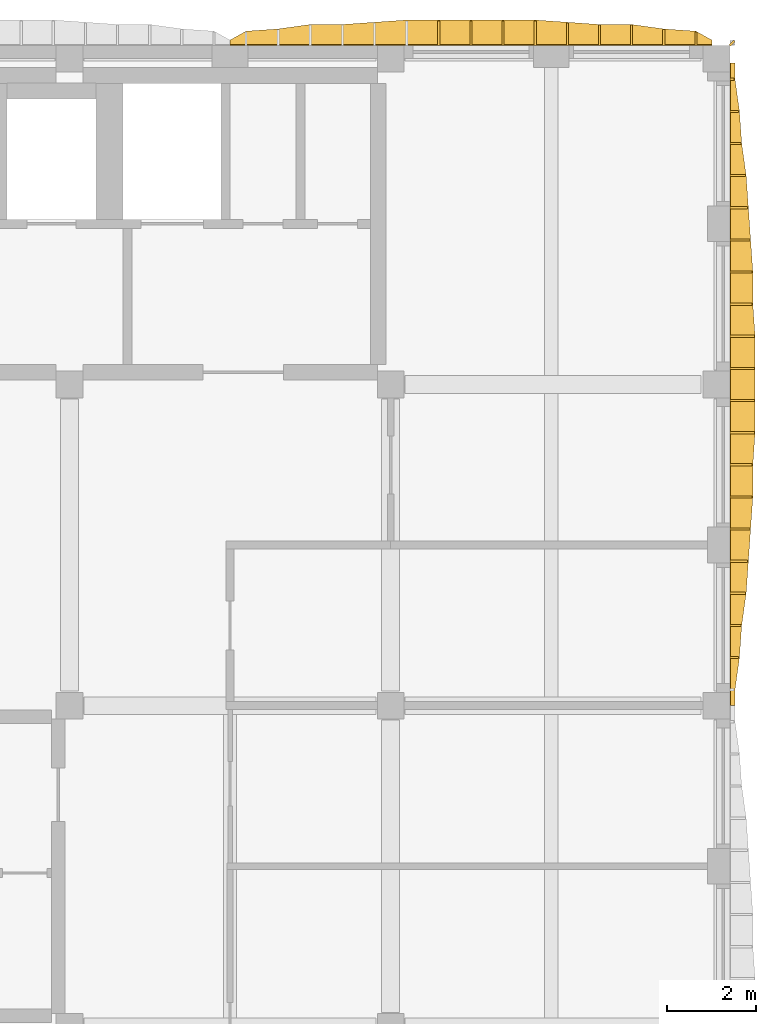
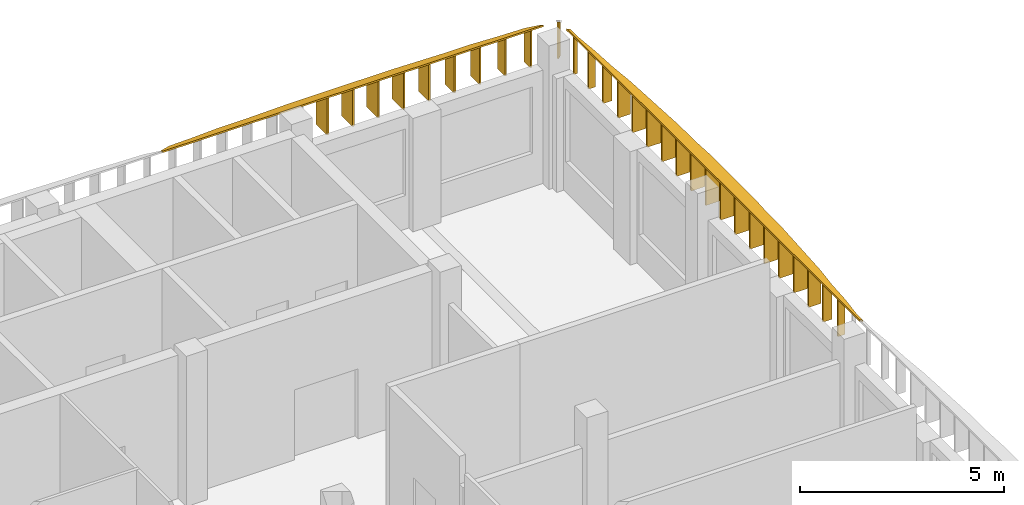
# One storey, part 8 of 10: 31 shading devices.
"""IFC4 building model written with IfcOpenShell, lengths in metres."""

from ifc_helpers import new_model, si_unit, direction, frame, origin, place, context, subcontext, project, spatial, polyline, outline, extrude, material, layer, layer_set, type_object, element, save


model = new_model("IFC4")

# Units and contexts
model_context = context("Model", 3, precision=1e-05, world=origin(), true_north=direction((0.0, 1.0)))
body_context = subcontext(model_context, "Body", "Model", "MODEL_VIEW")
ifc_project = project(units=[si_unit("LENGTHUNIT", "METRE"), si_unit("AREAUNIT", "SQUARE_METRE"), si_unit("VOLUMEUNIT", "CUBIC_METRE"), si_unit("PLANEANGLEUNIT", "RADIAN"), si_unit("MASSUNIT", "GRAM", prefix="KILO")], contexts=[model_context])

# Site, building, storey
site_placement = place(None, origin())
site = spatial("IfcSite", under=ifc_project, at=site_placement, CompositionType="ELEMENT")
building_placement = place(site_placement, origin())
building = spatial("IfcBuilding", under=site, at=building_placement, Name="Ussher Court Research Institute", CompositionType="ELEMENT")
storey_placement = place(building_placement, frame((0.0, 0.0, 36.89990234375)))
storey = spatial("IfcBuildingStorey", under=building, at=storey_placement, Name="L08", CompositionType="ELEMENT", Elevation=36.89990234375)

# Shading devices
ifc_material_1 = material(Name="Bronze anodised aluminium", Category="aluminium")
ifc_layer_1 = layer(ifc_material_1, 0.050048828125)
ifc_layer_set_1 = layer_set([ifc_layer_1], Name="Bronze anodised aluminium")
shading_device_type_1 = type_object("IfcShadingDeviceType", Name="Brim blade 100 mm deep 1100 mm high canted 26 deg wet", PredefinedType="USERDEFINED", material=ifc_layer_set_1)
shading_device_1_placement = place(storey_placement, frame((104.199951171875, 32.43994140625, 3.35009765625), z_axis=(0.0, 0.0, 1.0), x_axis=(1.0, 0.0, 0.0)))
element("IfcShadingDevice", 1, at=shading_device_1_placement, inside=storey, type_object=shading_device_type_1, Name="Brim blade BS10 L08", ObjectType="BLADE", PredefinedType="USERDEFINED", context=body_context, shape_type="SweptSolid", body=[
    extrude(outline(polyline([(0.0, 0.0), (0.10009765625, 0.0), (0.10009765625, 1.05126953125), (0.0, 1.10009765625), (0.0, 0.0)])), frame((0.0, 0.02490234375, 0.0), z_axis=(0.0, -1.0, 0.0), x_axis=(1.0, 0.0, 0.0)), (0.0, 0.0, 1.0), 0.050048828125),
])
ifc_material_2 = material(Name="Bronze anodised aluminium", Category="aluminium")
ifc_layer_2 = layer(ifc_material_2, 0.050048828125)
ifc_layer_set_2 = layer_set([ifc_layer_2], Name="Bronze anodised aluminium")
shading_device_type_2 = type_object("IfcShadingDeviceType", Name="Brim blade 200 mm deep 1100 mm high canted 26 deg wet", PredefinedType="USERDEFINED", material=ifc_layer_set_2)
for number, where, z_axis, x_axis, name in (
    (2, (104.199951171875, 31.719970703125, 3.35009765625), (0.0, 0.0, 1.0), (1.0, 0.0, 0.0), "Brim blade BS08 L08"),
    (3, (104.199951171875, 19.47998046875, 3.35009765625), (0.0, 0.0, 1.0), (1.0, 0.0, 0.0), "Brim blade BS08 L08"),
):
    element("IfcShadingDevice", number, at=place(storey_placement, frame(where, z_axis=z_axis, x_axis=x_axis)), inside=storey, type_object=shading_device_type_2, Name=name, ObjectType="BLADE", PredefinedType="USERDEFINED", context=body_context, shape_type="SweptSolid", body=[
        extrude(outline(polyline([(0.0, 0.0), (0.199951171875, 0.0), (0.199951171875, 1.00244140625), (0.0, 1.10009765625), (0.0, 0.0)])), frame((0.0, 0.02490234375, 0.0), z_axis=(0.0, -1.0, 0.0), x_axis=(1.0, 0.0, 0.0)), (0.0, 0.0, 1.0), 0.050048828125),
    ])
ifc_material_3 = material(Name="Bronze anodised aluminium", Category="aluminium")
ifc_layer_3 = layer(ifc_material_3, 0.050048828125)
ifc_layer_set_3 = layer_set([ifc_layer_3], Name="Bronze anodised aluminium")
shading_device_type_3 = type_object("IfcShadingDeviceType", Name="Brim blade 250 mm deep 1100 mm high canted 26 deg wet", PredefinedType="USERDEFINED", material=ifc_layer_set_3)
for number, where, z_axis, x_axis, name in (
    (4, (104.199951171875, 31.0, 3.35009765625), (0.0, 0.0, 1.0), (1.0, 0.0, 0.0), "Brim blade BS07 L08"),
    (5, (104.199951171875, 20.199951171875, 3.35009765625), (0.0, 0.0, 1.0), (1.0, 0.0, 0.0), "Brim blade BS07 L08"),
):
    element("IfcShadingDevice", number, at=place(storey_placement, frame(where, z_axis=z_axis, x_axis=x_axis)), inside=storey, type_object=shading_device_type_3, Name=name, ObjectType="BLADE", PredefinedType="USERDEFINED", context=body_context, shape_type="SweptSolid", body=[
        extrude(outline(polyline([(0.0, 0.0), (0.25, 0.0), (0.25, 0.97802734375), (0.0, 1.10009765625), (0.0, 0.0)])), frame((0.0, 0.02490234375, 0.0), z_axis=(0.0, -1.0, 0.0), x_axis=(1.0, 0.0, 0.0)), (0.0, 0.0, 1.0), 0.050048828125),
    ])
ifc_material_4 = material(Name="Bronze anodised aluminium", Category="aluminium")
ifc_layer_4 = layer(ifc_material_4, 0.050048828125)
ifc_layer_set_4 = layer_set([ifc_layer_4], Name="Bronze anodised aluminium")
shading_device_type_4 = type_object("IfcShadingDeviceType", Name="Brim blade 300 mm deep 1100 mm high canted 26 deg wet", PredefinedType="USERDEFINED", material=ifc_layer_set_4)
shading_device_2_placement = place(storey_placement, frame((103.43994140625, 33.199951171875, 3.35009765625), z_axis=(0.0, 0.0, 1.0), x_axis=(0.0, 1.0, 0.0)))
element("IfcShadingDevice", 6, at=shading_device_2_placement, inside=storey, type_object=shading_device_type_4, Name="Brim blade BS06 L08", ObjectType="BLADE", PredefinedType="USERDEFINED", context=body_context, shape_type="SweptSolid", body=[
    extrude(outline(polyline([(0.0, 0.0), (0.300048828125, 0.0), (0.300048828125, 0.95361328125), (0.0, 1.10009765625), (0.0, 0.0)])), frame((0.0, 0.02490234375, 0.0), z_axis=(0.0, -1.0, 0.0), x_axis=(1.0, 0.0, 0.0)), (0.0, 0.0, 1.0), 0.050048828125),
])
ifc_material_5 = material(Name="Bronze anodised aluminium", Category="aluminium")
ifc_layer_5 = layer(ifc_material_5, 0.050048828125)
ifc_layer_set_5 = layer_set([ifc_layer_5], Name="Bronze anodised aluminium")
shading_device_type_5 = type_object("IfcShadingDeviceType", Name="Brim blade 350 mm deep 1100 mm high canted 26 deg wet", PredefinedType="USERDEFINED", material=ifc_layer_set_5)
for number, where, z_axis, x_axis, name in (
    (7, (104.199951171875, 30.280029296875, 3.35009765625), (0.0, 0.0, 1.0), (1.0, 0.0, 0.0), "Brim blade BS05 L08"),
    (8, (104.199951171875, 20.919921875, 3.35009765625), (0.0, 0.0, 1.0), (1.0, 0.0, 0.0), "Brim blade BS05 L08"),
    (9, (102.719970703125, 33.199951171875, 3.35009765625), (0.0, 0.0, 1.0), (0.0, 1.0, 0.0), "Brim blade BS05 L08"),
):
    element("IfcShadingDevice", number, at=place(storey_placement, frame(where, z_axis=z_axis, x_axis=x_axis)), inside=storey, type_object=shading_device_type_5, Name=name, ObjectType="BLADE", PredefinedType="USERDEFINED", context=body_context, shape_type="SweptSolid", body=[
        extrude(outline(polyline([(0.0, 0.0), (0.35009765625, 0.0), (0.35009765625, 0.92919921875), (0.0, 1.10009765625), (0.0, 0.0)])), frame((0.0, 0.02490234375, 0.0), z_axis=(0.0, -1.0, 0.0), x_axis=(1.0, 0.0, 0.0)), (0.0, 0.0, 1.0), 0.050048828125),
    ])
ifc_material_6 = material(Name="Bronze anodised aluminium", Category="aluminium")
ifc_layer_6 = layer(ifc_material_6, 0.050048828125)
ifc_layer_set_6 = layer_set([ifc_layer_6], Name="Bronze anodised aluminium")
shading_device_type_6 = type_object("IfcShadingDeviceType", Name="Brim blade 400 mm deep 1100 mm high canted 26 deg wet", PredefinedType="USERDEFINED", material=ifc_layer_set_6)
for number, where, z_axis, x_axis, name in (
    (10, (104.199951171875, 29.56005859375, 3.35009765625), (0.0, 0.0, 1.0), (1.0, 0.0, 0.0), "Brim blade BS04 L08"),
    (11, (104.199951171875, 21.639892578125, 3.35009765625), (0.0, 0.0, 1.0), (1.0, 0.0, 0.0), "Brim blade BS04 L08"),
):
    element("IfcShadingDevice", number, at=place(storey_placement, frame(where, z_axis=z_axis, x_axis=x_axis)), inside=storey, type_object=shading_device_type_6, Name=name, ObjectType="BLADE", PredefinedType="USERDEFINED", context=body_context, shape_type="SweptSolid", body=[
        extrude(outline(polyline([(0.0, 0.0), (0.400146484375, 0.0), (0.39990234375, 0.90478515625), (0.0, 1.10009765625), (0.0, 0.0)])), frame((0.0, 0.02490234375, 0.0), z_axis=(0.0, -1.0, 0.0), x_axis=(1.0, 0.0, 0.0)), (0.0, 0.0, 1.0), 0.050048828125),
    ])
ifc_material_7 = material(Name="Bronze anodised aluminium", Category="aluminium")
ifc_layer_7 = layer(ifc_material_7, 0.050048828125)
ifc_layer_set_7 = layer_set([ifc_layer_7], Name="Bronze anodised aluminium")
shading_device_type_7 = type_object("IfcShadingDeviceType", Name="Brim blade 450 mm deep 1100 mm high canted 26 deg wet", PredefinedType="USERDEFINED", material=ifc_layer_set_7)
for number, where, z_axis, x_axis, name in (
    (12, (104.199951171875, 28.840087890625, 3.35009765625), (0.0, 0.0, 1.0), (1.0, 0.0, 0.0), "Brim blade BS03 L08"),
    (13, (104.199951171875, 22.360107421875, 3.35009765625), (0.0, 0.0, 1.0), (1.0, 0.0, 0.0), "Brim blade BS03 L08"),
    (14, (101.280029296875, 33.199951171875, 3.35009765625), (0.0, 0.0, 1.0), (0.0, 1.0, 0.0), "Brim blade BS03 L08"),
    (15, (102.0, 33.199951171875, 3.35009765625), (0.0, 0.0, 1.0), (0.0, 1.0, 0.0), "Brim blade BS03 L08"),
):
    element("IfcShadingDevice", number, at=place(storey_placement, frame(where, z_axis=z_axis, x_axis=x_axis)), inside=storey, type_object=shading_device_type_7, Name=name, ObjectType="BLADE", PredefinedType="USERDEFINED", context=body_context, shape_type="SweptSolid", body=[
        extrude(outline(polyline([(0.0, 0.0), (0.449951171875, 0.0), (0.449951171875, 0.880615234375), (0.0, 1.10009765625), (0.0, 0.0)])), frame((0.0, 0.02490234375, 0.0), z_axis=(0.0, -1.0, 0.0), x_axis=(1.0, 0.0, 0.0)), (0.0, 0.0, 1.0), 0.050048828125),
    ])
ifc_material_8 = material(Name="Bronze anodised aluminium", Category="aluminium")
ifc_layer_8 = layer(ifc_material_8, 0.050048828125)
ifc_layer_set_8 = layer_set([ifc_layer_8], Name="Bronze anodised aluminium")
shading_device_type_8 = type_object("IfcShadingDeviceType", Name="Brim blade 500 mm deep 1100 mm high canted 26 deg wet", PredefinedType="USERDEFINED", material=ifc_layer_set_8)
for number, where, z_axis, x_axis, name in (
    (16, (104.199951171875, 28.1201171875, 3.35009765625), (0.0, 0.0, 1.0), (1.0, 0.0, 0.0), "Brim blade BS02 L08"),
    (17, (104.199951171875, 27.39990234375, 3.35009765625), (0.0, 0.0, 1.0), (1.0, 0.0, 0.0), "Brim blade BS02 L08"),
    (18, (104.199951171875, 23.800048828125, 3.35009765625), (0.0, 0.0, 1.0), (1.0, 0.0, 0.0), "Brim blade BS02 L08"),
    (19, (104.199951171875, 23.080078125, 3.35009765625), (0.0, 0.0, 1.0), (1.0, 0.0, 0.0), "Brim blade BS02 L08"),
    (20, (100.56005859375, 33.199951171875, 3.35009765625), (0.0, 0.0, 1.0), (0.0, 1.0, 0.0), "Brim blade BS02 L08"),
):
    element("IfcShadingDevice", number, at=place(storey_placement, frame(where, z_axis=z_axis, x_axis=x_axis)), inside=storey, type_object=shading_device_type_8, Name=name, ObjectType="BLADE", PredefinedType="USERDEFINED", context=body_context, shape_type="SweptSolid", body=[
        extrude(outline(polyline([(0.0, 0.0), (0.5, 0.0), (0.5, 0.856201171875), (0.0, 1.10009765625), (0.0, 0.0)])), frame((0.0, 0.02490234375, 0.0), z_axis=(0.0, -1.0, 0.0), x_axis=(1.0, 0.0, 0.0)), (0.0, 0.0, 1.0), 0.050048828125),
    ])
ifc_material_9 = material(Name="Bronze anodised aluminium", Category="aluminium")
ifc_layer_9 = layer(ifc_material_9, 0.050048828125)
ifc_layer_set_9 = layer_set([ifc_layer_9], Name="Bronze anodised aluminium")
shading_device_type_9 = type_object("IfcShadingDeviceType", Name="Brim blade 550 mm deep 1100 mm high canted 26 deg wet", PredefinedType="USERDEFINED", material=ifc_layer_set_9)
for number, where, z_axis, x_axis, name in (
    (21, (104.199951171875, 26.679931640625, 3.35009765625), (0.0, 0.0, 1.0), (1.0, 0.0, 0.0), "Brim blade BS01 L08"),
    (22, (104.199951171875, 25.9599609375, 3.35009765625), (0.0, 0.0, 1.0), (1.0, 0.0, 0.0), "Brim blade BS01 L08"),
    (23, (104.199951171875, 25.239990234375, 3.35009765625), (0.0, 0.0, 1.0), (1.0, 0.0, 0.0), "Brim blade BS01 L08"),
    (24, (104.199951171875, 24.52001953125, 3.35009765625), (0.0, 0.0, 1.0), (1.0, 0.0, 0.0), "Brim blade BS01 L08"),
    (25, (97.679931640625, 33.199951171875, 3.35009765625), (0.0, 0.0, 1.0), (0.0, 1.0, 0.0), "Brim blade BS01 L08"),
    (26, (98.39990234375, 33.199951171875, 3.35009765625), (0.0, 0.0, 1.0), (0.0, 1.0, 0.0), "Brim blade BS01 L08"),
    (27, (99.1201171875, 33.199951171875, 3.35009765625), (0.0, 0.0, 1.0), (0.0, 1.0, 0.0), "Brim blade BS01 L08"),
    (28, (99.840087890625, 33.199951171875, 3.35009765625), (0.0, 0.0, 1.0), (0.0, 1.0, 0.0), "Brim blade BS01 L08"),
):
    element("IfcShadingDevice", number, at=place(storey_placement, frame(where, z_axis=z_axis, x_axis=x_axis)), inside=storey, type_object=shading_device_type_9, Name=name, ObjectType="BLADE", PredefinedType="USERDEFINED", context=body_context, shape_type="SweptSolid", body=[
        extrude(outline(polyline([(0.0, 0.0), (0.550048828125, 0.0), (0.550048828125, 0.831787109375), (0.0, 1.10009765625), (0.0, 0.0)])), frame((0.0, 0.02490234375, 0.0), z_axis=(0.0, -1.0, 0.0), x_axis=(1.0, 0.0, 0.0)), (0.0, 0.0, 1.0), 0.050048828125),
    ])
ifc_material_10 = material(Name="Bronze anodised aluminium", Category="aluminium")
ifc_layer_10 = layer(ifc_material_10, 0.050048828125)
ifc_layer_set_10 = layer_set([ifc_layer_10], Name="Bronze anodised aluminium")
shading_device_type_10 = type_object("IfcShadingDeviceType", Name="Brim mitre blade 100 mm deep 1100 mm high canted 26 deg wet", PredefinedType="USERDEFINED", material=ifc_layer_set_10)
shading_device_3_placement = place(storey_placement, frame((104.199951171875, 33.199951171875, 3.35009765625), z_axis=(0.0, 0.0, 1.0), x_axis=(0.707106781187, 0.707106781187, 0.0)))
element("IfcShadingDevice", 29, at=shading_device_3_placement, inside=storey, type_object=shading_device_type_10, Name="Brim mitre blade BS18 L08", ObjectType="BLADE", PredefinedType="USERDEFINED", context=body_context, shape_type="SweptSolid", body=[
    extrude(outline(polyline([(0.0, 0.0), (0.1416015625, 0.0), (0.141357421875, 1.00244140625), (0.0, 1.10009765625), (0.0, 0.0)])), frame((0.0, 0.02490234375, 0.0), z_axis=(0.0, -1.0, 0.0), x_axis=(1.0, 0.0, 0.0)), (0.0, 0.0, 1.0), 0.050048828125),
])
ifc_material_11 = material(Name="Bronze anodised aluminium", Category="aluminium")
ifc_layer_11 = layer(ifc_material_11, 0.0400390625)
ifc_layer_set_11 = layer_set([ifc_layer_11], Name="Bronze anodised aluminium")
shading_device_type_11 = type_object("IfcShadingDeviceType", Name="Brim visor sheet 40 mm canted 26 deg wet", PredefinedType="USERDEFINED", material=ifc_layer_set_11)
shading_device_4_placement = place(storey_placement, frame((104.217529296875, 32.800048828125, 4.486083984375), z_axis=(0.438529184396, 0.0, 0.898716949007), x_axis=(0.0, -1.0, 0.0)))
element("IfcShadingDevice", 30, at=shading_device_4_placement, inside=storey, type_object=shading_device_type_11, Name="Brim visor sheet BR1 L08", ObjectType="BRIM", PredefinedType="USERDEFINED", context=body_context, shape_type="SweptSolid", body=[
    extrude(outline(polyline([(0.0, 0.0), (14.400146484375, 0.0), (14.400146484375, 0.11115260474198813), (14.0400390625, 0.11115260474198813), (13.320068359375, 0.22252462280160495), (12.60009765625, 0.27821063183141337), (11.880126953125, 0.3893632365734015), (11.16015625, 0.4449421828140506), (10.43994140625, 0.5006281918438591), (9.719970703125, 0.5563142008736675), (9.0, 0.5563142008736675), (8.280029296875, 0.6120002099034759), (7.56005859375, 0.6120002099034759), (6.840087890625, 0.6120002099034759), (6.1201171875, 0.6120002099034759), (5.400146484375, 0.5563142008736675), (4.679931640625, 0.5563142008736675), (3.9599609375, 0.5006281918438591), (3.239990234375, 0.4449421828140506), (2.52001953125, 0.3893632365734015), (1.800048828125, 0.27821063183141337), (1.080078125, 0.22252462280160495), (0.360107421875, 0.11115260474198813), (0.0, 0.11115260474198813), (0.0, 0.0)])), origin(), (0.0, 0.0, -1.0), 0.0400390625),
])
shading_device_5_placement = place(storey_placement, frame((93.0, 33.217529296875, 4.486083984375), z_axis=(0.0, 0.438493442835, 0.898734388232), x_axis=(1.0, 0.0, 0.0)))
element("IfcShadingDevice", 31, at=shading_device_5_placement, inside=storey, type_object=shading_device_type_11, Name="Brim visor sheet BR1 L08", ObjectType="BRIM", PredefinedType="USERDEFINED", context=body_context, shape_type="SweptSolid", body=[
    extrude(outline(polyline([(0.0, 0.0), (10.800048828125, 0.0), (10.800048828125, 0.11115260091647443), (10.43994140625, 0.3338966378999272), (9.719970703125, 0.3893632295705384), (9.0, 0.5006281939990725), (8.280029296875, 0.5006281939990725), (7.56005859375, 0.5563142032449357), (6.840087890625, 0.612000212490799), (6.1201171875, 0.612000212490799), (5.39990234375, 0.612000212490799), (4.679931640625, 0.612000212490799), (3.9599609375, 0.612000212490799), (3.239990234375, 0.5563142032449357), (2.52001953125, 0.5006281939990725), (1.800048828125, 0.5006281939990725), (1.080078125, 0.3893632295705384), (0.360107421875, 0.3338966378999272), (0.0, 0.11115260091647443), (0.0, 0.0)])), origin(), (0.0, 0.0, -1.0), 0.0400390625),
])

save(model, "model.ifc")
